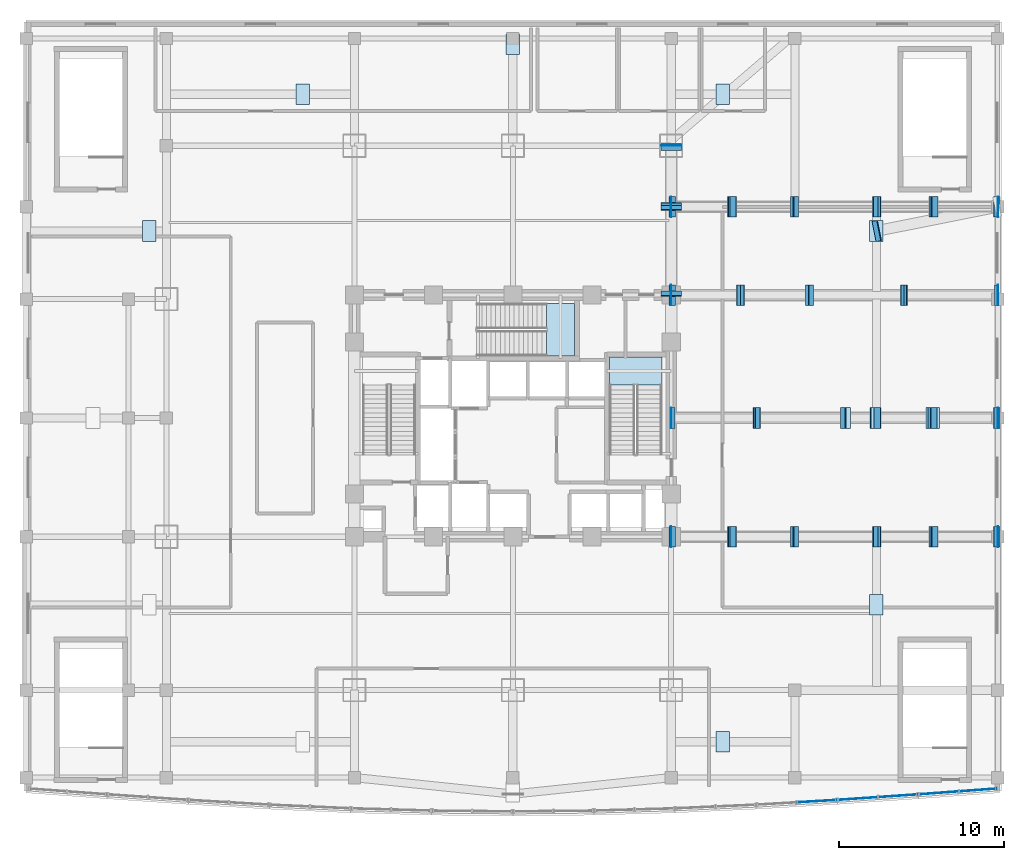
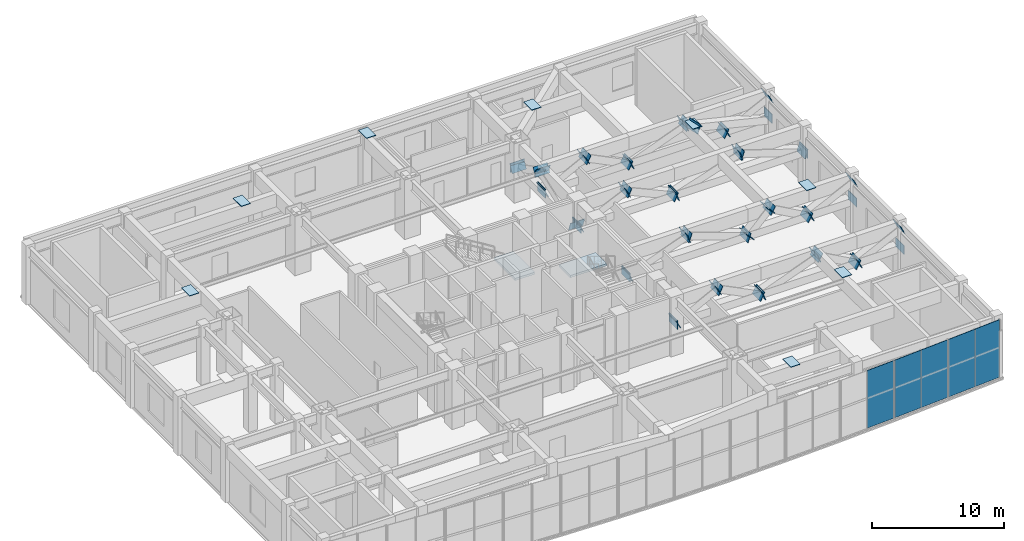
# One storey, part 11 of 19: 65 plates, 2 slabs, 5 elements without a shape of their own.
"""IFC4 building model written with IfcOpenShell, lengths in metres."""

from ifc_helpers import new_model, si_unit, direction, frame, origin, origin_2d, place, context, subcontext, project, spatial, polyline, rectangle, outline, extrude, material, layer, layer_set, type_object, element, aggregate, save


model = new_model("IFC4")

# Units and contexts
model_context = context("Model", 3, precision=1e-05, world=origin(), true_north=direction((0.0, 1.0)))
body_context = subcontext(model_context, "Body", "Model", "MODEL_VIEW")
ifc_project = project(units=[si_unit("LENGTHUNIT", "METRE"), si_unit("AREAUNIT", "SQUARE_METRE"), si_unit("VOLUMEUNIT", "CUBIC_METRE"), si_unit("PLANEANGLEUNIT", "RADIAN"), si_unit("MASSUNIT", "GRAM", prefix="KILO")], contexts=[model_context])

# Site, building, storey
site_placement = place(None, origin())
site = spatial("IfcSite", under=ifc_project, at=site_placement, CompositionType="ELEMENT")
building_placement = place(site_placement, origin())
building = spatial("IfcBuilding", under=site, at=building_placement, Name="Vantalir Tower", CompositionType="ELEMENT")
storey_placement = place(building_placement, frame((0.0, 0.0, 21.5)))
storey = spatial("IfcBuildingStorey", under=building, at=storey_placement, Name="L04", CompositionType="ELEMENT", Elevation=21.5)

# Curtain wall, plate
ifc_material_1 = material(Name="Champagne-silver PVDF aluminium and double-silver Low-E glass", Category="aluminium")
ifc_layer_1 = layer(ifc_material_1, 0.239990234375)
ifc_layer_set_1 = layer_set([ifc_layer_1], Name="Champagne-silver PVDF aluminium and double-silver Low-E glass")
curtain_wall_type = type_object("IfcCurtainWallType", Name="CW-PODIUM-WF", PredefinedType="USERDEFINED", material=ifc_layer_set_1)
curtain_wall_1_placement = place(storey_placement, origin())
curtain_wall_1 = element("IfcCurtainWall", 1, at=curtain_wall_1_placement, inside=storey, type_object=curtain_wall_type, Name="L04 Waterfront Stick Curtain Wall 10", ObjectType="STICK CURTAIN WALL", PredefinedType="USERDEFINED")
ifc_material_2 = material(Name="Laminated waterfront podium glass IGU", Category="glass")
ifc_layer_2 = layer(ifc_material_2, 0.0400390625)
ifc_layer_set_2 = layer_set([ifc_layer_2], Name="Laminated waterfront podium glass IGU")
plate_type_1 = type_object("IfcPlateType", Name="CWP-IGU-POD-40", PredefinedType="CURTAIN_PANEL", material=ifc_layer_set_2)
plate_1_placement = place(storey_placement, frame((49.9130859375, 1.76611328125, -0.008056640625), z_axis=(0.0, 0.0, 1.0), x_axis=(0.998265610185, 0.058870803651, 0.0)))
plate_1 = element("IfcPlate", 2, at=plate_1_placement, type_object=plate_type_1, Name="CW-L04-WF-10 Glazed Panel 2", PredefinedType="CURTAIN_PANEL", context=body_context, shape_type="SweptSolid", body=[
    extrude(rectangle(XDim=2.39306640625, YDim=0.0400390625, at=origin_2d()), origin(), (0.0, 0.0, 1.0), 5.3359375),
])
aggregate(curtain_wall_1, [plate_1])

# Curtain wall, plates
curtain_wall_2_placement = place(storey_placement, origin())
curtain_wall_2 = element("IfcCurtainWall", 3, at=curtain_wall_2_placement, inside=storey, type_object=curtain_wall_type, Name="L04 Waterfront Stick Curtain Wall 11", ObjectType="STICK CURTAIN WALL", PredefinedType="USERDEFINED")
plate_2_placement = place(storey_placement, frame((52.4208984375, 1.926025390625, -0.008056640625), z_axis=(0.0, 0.0, 1.0), x_axis=(0.997644939362, 0.068589904246, 0.0)))
plate_2 = element("IfcPlate", 4, at=plate_2_placement, type_object=plate_type_1, Name="CW-L04-WF-11 Glazed Panel 1", PredefinedType="CURTAIN_PANEL", context=body_context, shape_type="SweptSolid", body=[
    extrude(rectangle(XDim=2.39404296875, YDim=0.0400390625, at=origin_2d()), origin(), (0.0, 0.0, 1.0), 5.3359375),
])
plate_3_placement = place(storey_placement, frame((54.8291015625, 2.092041015625, -0.008056640625), z_axis=(0.0, 0.0, 1.0), x_axis=(0.997644939362, 0.068589904246, 0.0)))
plate_3 = element("IfcPlate", 5, at=plate_3_placement, type_object=plate_type_1, Name="CW-L04-WF-11 Glazed Panel 2", PredefinedType="CURTAIN_PANEL", context=body_context, shape_type="SweptSolid", body=[
    extrude(rectangle(XDim=2.39404296875, YDim=0.0400390625, at=origin_2d()), origin(), (0.0, 0.0, 1.0), 5.3359375),
])
aggregate(curtain_wall_2, [plate_2, plate_3])

curtain_wall_3_placement = place(storey_placement, origin())
curtain_wall_3 = element("IfcCurtainWall", 6, at=curtain_wall_3_placement, inside=storey, type_object=curtain_wall_type, Name="L04 Waterfront Stick Curtain Wall 12", ObjectType="STICK CURTAIN WALL", PredefinedType="USERDEFINED")
plate_4_placement = place(storey_placement, frame((57.3369140625, 2.27001953125, -0.008056640625), z_axis=(0.0, 0.0, 1.0), x_axis=(0.99730039812, 0.073429666411, 0.0)))
plate_4 = element("IfcPlate", 7, at=plate_4_placement, type_object=plate_type_1, Name="CW-L04-WF-12 Glazed Panel 1", PredefinedType="CURTAIN_PANEL", context=body_context, shape_type="SweptSolid", body=[
    extrude(rectangle(XDim=2.39501953125, YDim=0.0400390625, at=origin_2d()), origin(), (0.0, 0.0, 1.0), 5.3359375),
])
plate_5_placement = place(storey_placement, frame((59.680908203125, 2.443115234375, -0.008056640625), z_axis=(0.0, 0.0, 1.0), x_axis=(0.99730039812, 0.073429666411, 0.0)))
plate_5 = element("IfcPlate", 8, at=plate_5_placement, type_object=plate_type_1, Name="CW-L04-WF-12 Glazed Panel 2", PredefinedType="CURTAIN_PANEL", context=body_context, shape_type="SweptSolid", body=[
    extrude(rectangle(XDim=2.264892578125, YDim=0.0400390625, at=origin_2d()), origin(), (0.0, 0.0, 1.0), 5.3359375),
])
aggregate(curtain_wall_3, [plate_4, plate_5])

# Plates
ifc_material_3 = material(Name="Steel S460", Category="steel")
ifc_layer_3 = layer(ifc_material_3, 0.050048828125)
ifc_layer_set_3 = layer_set([ifc_layer_3], Name="Steel S460")
plate_type_2 = type_object("IfcPlateType", Name="PLT-TN-01", PredefinedType="USERDEFINED", material=ifc_layer_set_3)
for number, where, z_axis, x_axis, name in (
    (9, (41.0849609375, 17.800048828125, 2.419921875), (0.0, 0.0, 1.0), (1.0, 0.0, 0.0), "Node Cap Plate MEM-L04-XBOT-1 Start"),
    (10, (60.9150390625, 17.800048828125, 2.419921875), (0.0, 0.0, 1.0), (1.0, 0.0, 0.0), "Node Cap Plate MEM-L04-XBOT-1 End"),
):
    element("IfcPlate", number, at=place(storey_placement, frame(where, z_axis=z_axis, x_axis=x_axis)), inside=storey, type_object=plate_type_2, Name=name, ObjectType="FLANGE_PLATE", PredefinedType="USERDEFINED", context=body_context, shape_type="SweptSolid", body=[
        extrude(rectangle(XDim=0.050048828125, YDim=1.25, at=origin_2d()), origin(), (0.0, 0.0, 1.0), 0.820068359375),
    ])
plate_6_placement = place(storey_placement, frame((41.373046875, 17.175048828125, 2.46826171875), z_axis=(0.891248469522, 0.0, 0.453515342159), x_axis=(0.0, 1.0, 0.0)))
element("IfcPlate", 11, at=plate_6_placement, inside=storey, type_object=plate_type_2, Name="Node Cap Plate MEM-L04-XWEB-1-1 Start", ObjectType="FLANGE_PLATE", PredefinedType="USERDEFINED", context=body_context, shape_type="SweptSolid", body=[
    extrude(outline(polyline([(0.0, 0.0), (1.25, 0.0), (1.25, 0.8198756189915395), (0.0, 0.8198756189915395), (0.0, 0.0)])), origin(), (0.0, 0.0, -1.0), 0.050048828125),
])
plate_7_placement = place(storey_placement, frame((44.943359375, 17.175048828125, 4.283447265625), z_axis=(0.891309690912, 0.0, 0.453395009772), x_axis=(0.0, 1.0, 0.0)))
element("IfcPlate", 12, at=plate_7_placement, inside=storey, type_object=plate_type_2, Name="Node Cap Plate MEM-L04-XWEB-1-1 End", ObjectType="FLANGE_PLATE", PredefinedType="USERDEFINED", context=body_context, shape_type="SweptSolid", body=[
    extrude(outline(polyline([(0.0, 0.0), (1.25, 0.0), (1.25, 0.8200932164242248), (0.0, 0.8200932164242248), (0.0, 0.0)])), origin(), (0.0, 0.0, -1.0), 0.050048828125),
])
for number, where, z_axis, x_axis, name in (
    (13, (44.66064453125, 18.425048828125, 4.281005859375), (-0.896383397475, 0.0, 0.443279601076), (0.0, -1.0, 0.0), "Node Cap Plate MEM-L04-XWEB-1-2 Start"),
    (14, (48.3310546875, 18.425048828125, 2.466064453125), (-0.896383397475, 0.0, 0.443279601076), (0.0, -1.0, 0.0), "Node Cap Plate MEM-L04-XWEB-1-2 End"),
):
    element("IfcPlate", number, at=place(storey_placement, frame(where, z_axis=z_axis, x_axis=x_axis)), inside=storey, type_object=plate_type_2, Name=name, ObjectType="FLANGE_PLATE", PredefinedType="USERDEFINED", context=body_context, shape_type="SweptSolid", body=[
        extrude(outline(polyline([(0.0, 0.0), (1.25, 0.0), (1.25, 0.82008147846709), (0.0, 0.82008147846709), (0.0, 0.0)])), origin(), (0.0, 0.0, -1.0), 0.050048828125),
    ])
plate_8_placement = place(storey_placement, frame((48.83203125, 17.175048828125, 2.44921875), z_axis=(0.935801980164, 0.0, 0.352526103886), x_axis=(0.0, 1.0, 0.0)))
element("IfcPlate", 15, at=plate_8_placement, inside=storey, type_object=plate_type_2, Name="Node Cap Plate MEM-L04-XWEB-1-3 Start", ObjectType="FLANGE_PLATE", PredefinedType="USERDEFINED", context=body_context, shape_type="SweptSolid", body=[
    extrude(outline(polyline([(0.0, 0.0), (1.25, 0.0), (1.25, 0.8199747389298422), (0.0, 0.8199747389298422), (0.0, 0.0)])), origin(), (0.0, 0.0, -1.0), 0.050048828125),
])
plate_9_placement = place(storey_placement, frame((53.643798828125, 17.175048828125, 4.260986328125), z_axis=(0.935838966444, 0.0, 0.352427905938), x_axis=(0.0, 1.0, 0.0)))
element("IfcPlate", 16, at=plate_9_placement, inside=storey, type_object=plate_type_2, Name="Node Cap Plate MEM-L04-XWEB-1-3 End", ObjectType="FLANGE_PLATE", PredefinedType="USERDEFINED", context=body_context, shape_type="SweptSolid", body=[
    extrude(outline(polyline([(0.0, 0.0), (1.25, 0.0), (1.25, 0.8202032107257113), (0.0, 0.8202032107257113), (0.0, 0.0)])), origin(), (0.0, 0.0, -1.0), 0.050048828125),
])
plate_10_placement = place(storey_placement, frame((53.38671875, 18.425048828125, 4.290283203125), z_axis=(-0.877770373651, 0.0, 0.479081591318), x_axis=(0.0, -1.0, 0.0)))
element("IfcPlate", 17, at=plate_10_placement, inside=storey, type_object=plate_type_2, Name="Node Cap Plate MEM-L04-XWEB-1-4 Start", ObjectType="FLANGE_PLATE", PredefinedType="USERDEFINED", context=body_context, shape_type="SweptSolid", body=[
    extrude(outline(polyline([(0.0, 0.0), (1.25, 0.0), (1.25, 0.8199485698132685), (0.0, 0.8199485698132685), (0.0, 0.0)])), origin(), (0.0, 0.0, -1.0), 0.050048828125),
])
plate_11_placement = place(storey_placement, frame((56.716552734375, 18.425048828125, 2.473876953125), z_axis=(-0.877838686464, 0.0, 0.478956407773), x_axis=(0.0, -1.0, 0.0)))
element("IfcPlate", 18, at=plate_11_placement, inside=storey, type_object=plate_type_2, Name="Node Cap Plate MEM-L04-XWEB-1-4 End", ObjectType="FLANGE_PLATE", PredefinedType="USERDEFINED", context=body_context, shape_type="SweptSolid", body=[
    extrude(outline(polyline([(0.0, 0.0), (1.25, 0.0), (1.25, 0.8201628775609544), (0.0, 0.8201628775609544), (0.0, 0.0)])), origin(), (0.0, 0.0, -1.0), 0.050048828125),
])
plate_12_placement = place(storey_placement, frame((57.264892578125, 17.175048828125, 2.464111328125), z_axis=(0.901113725601, 0.0, 0.433582810468), x_axis=(0.0, 1.0, 0.0)))
element("IfcPlate", 19, at=plate_12_placement, inside=storey, type_object=plate_type_2, Name="Node Cap Plate MEM-L04-XWEB-1-5 Start", ObjectType="FLANGE_PLATE", PredefinedType="USERDEFINED", context=body_context, shape_type="SweptSolid", body=[
    extrude(outline(polyline([(0.0, 0.0), (1.25, 0.0), (1.25, 0.8198405043238027), (0.0, 0.8198405043238027), (0.0, 0.0)])), origin(), (0.0, 0.0, -1.0), 0.050048828125),
])
plate_13_placement = place(storey_placement, frame((61.03564453125, 17.175048828125, 4.27880859375), z_axis=(0.900997359275, 0.0, 0.433824571204), x_axis=(0.0, 1.0, 0.0)))
element("IfcPlate", 20, at=plate_13_placement, inside=storey, type_object=plate_type_2, Name="Node Cap Plate MEM-L04-XWEB-1-5 End", ObjectType="FLANGE_PLATE", PredefinedType="USERDEFINED", context=body_context, shape_type="SweptSolid", body=[
    extrude(outline(polyline([(0.0, 0.0), (1.25, 0.0), (1.25, 0.8199463890158538), (0.0, 0.8199463890158538), (0.0, 0.0)])), origin(), (0.0, 0.0, -1.0), 0.050048828125),
])
for number, where, z_axis, x_axis, name in (
    (21, (41.0849609375, 25.0, 2.419921875), (0.0, 0.0, 1.0), (1.0, 0.0, 0.0), "Node Cap Plate MEM-L04-XBOT-2 Start"),
    (22, (60.9150390625, 25.0, 2.419921875), (0.0, 0.0, 1.0), (1.0, 0.0, 0.0), "Node Cap Plate MEM-L04-XBOT-2 End"),
):
    element("IfcPlate", number, at=place(storey_placement, frame(where, z_axis=z_axis, x_axis=x_axis)), inside=storey, type_object=plate_type_2, Name=name, ObjectType="FLANGE_PLATE", PredefinedType="USERDEFINED", context=body_context, shape_type="SweptSolid", body=[
        extrude(rectangle(XDim=0.050048828125, YDim=1.25, at=origin_2d()), origin(), (0.0, 0.0, 1.0), 0.820068359375),
    ])
for number, where, z_axis, x_axis, name in (
    (23, (41.325439453125, 24.375, 2.446533203125), (0.94170822743, 0.0, 0.336430697754), (0.0, 1.0, 0.0), "Node Cap Plate MEM-L04-XWEB-2-1 Start"),
    (24, (46.3974609375, 24.375, 4.258056640625), (0.94170822743, 0.0, 0.336430697754), (0.0, 1.0, 0.0), "Node Cap Plate MEM-L04-XWEB-2-1 End"),
):
    element("IfcPlate", number, at=place(storey_placement, frame(where, z_axis=z_axis, x_axis=x_axis)), inside=storey, type_object=plate_type_2, Name=name, ObjectType="FLANGE_PLATE", PredefinedType="USERDEFINED", context=body_context, shape_type="SweptSolid", body=[
        extrude(outline(polyline([(0.0, 0.0), (1.25, 0.0), (1.25, 0.8200170439018821), (0.0, 0.8200170439018821), (0.0, 0.0)])), origin(), (0.0, 0.0, -1.0), 0.050048828125),
    ])
plate_14_placement = place(storey_placement, frame((46.204833984375, 25.625, 4.2568359375), z_axis=(-0.94381192996, 0.0, 0.330483041721), x_axis=(0.0, -1.0, 0.0)))
element("IfcPlate", 25, at=plate_14_placement, inside=storey, type_object=plate_type_2, Name="Node Cap Plate MEM-L04-XWEB-2-2 Start", ObjectType="FLANGE_PLATE", PredefinedType="USERDEFINED", context=body_context, shape_type="SweptSolid", body=[
    extrude(outline(polyline([(0.0, 0.0), (1.25, 0.0), (1.25, 0.819999998604379), (0.0, 0.819999998604379), (0.0, 0.0)])), origin(), (0.0, 0.0, -1.0), 0.050048828125),
])
plate_15_placement = place(storey_placement, frame((51.376953125, 25.625, 2.44580078125), z_axis=(-0.943779398194, 0.0, 0.3305759331), x_axis=(0.0, -1.0, 0.0)))
element("IfcPlate", 26, at=plate_15_placement, inside=storey, type_object=plate_type_2, Name="Node Cap Plate MEM-L04-XWEB-2-2 End", ObjectType="FLANGE_PLATE", PredefinedType="USERDEFINED", context=body_context, shape_type="SweptSolid", body=[
    extrude(outline(polyline([(0.0, 0.0), (1.25, 0.0), (1.25, 0.819769579740521), (0.0, 0.819769579740521), (0.0, 0.0)])), origin(), (0.0, 0.0, -1.0), 0.050048828125),
])
for number, where, z_axis, x_axis, name in (
    (27, (51.97705078125, 24.375, 2.54736328125), (0.703225767292, 0.0, 0.710966609777), (0.0, 1.0, 0.0), "Node Cap Plate MEM-L04-XWEB-2-3 Start"),
    (28, (53.781005859375, 24.375, 4.37158203125), (0.703225767292, 0.0, 0.710966609777), (0.0, 1.0, 0.0), "Node Cap Plate MEM-L04-XWEB-2-3 End"),
):
    element("IfcPlate", number, at=place(storey_placement, frame(where, z_axis=z_axis, x_axis=x_axis)), inside=storey, type_object=plate_type_2, Name=name, ObjectType="FLANGE_PLATE", PredefinedType="USERDEFINED", context=body_context, shape_type="SweptSolid", body=[
        extrude(outline(polyline([(0.0, 0.0), (1.25, 0.0), (1.25, 0.8200213687717592), (0.0, 0.8200213687717592), (0.0, 0.0)])), origin(), (0.0, 0.0, -1.0), 0.050048828125),
    ])
plate_16_placement = place(storey_placement, frame((53.384521484375, 25.625, 4.291748046875), z_axis=(-0.874690390738, 0.0, 0.48468208173), x_axis=(0.0, -1.0, 0.0)))
element("IfcPlate", 29, at=plate_16_placement, inside=storey, type_object=plate_type_2, Name="Node Cap Plate MEM-L04-XWEB-2-4 Start", ObjectType="FLANGE_PLATE", PredefinedType="USERDEFINED", context=body_context, shape_type="SweptSolid", body=[
    extrude(outline(polyline([(0.0, 0.0), (1.25, 0.0), (1.25, 0.8200446281849336), (0.0, 0.8200446281849336), (0.0, 0.0)])), origin(), (0.0, 0.0, -1.0), 0.050048828125),
])
plate_17_placement = place(storey_placement, frame((56.664306640625, 25.625, 2.47509765625), z_axis=(-0.874760301957, 0.0, 0.484555893701), x_axis=(0.0, -1.0, 0.0)))
element("IfcPlate", 30, at=plate_17_placement, inside=storey, type_object=plate_type_2, Name="Node Cap Plate MEM-L04-XWEB-2-4 End", ObjectType="FLANGE_PLATE", PredefinedType="USERDEFINED", context=body_context, shape_type="SweptSolid", body=[
    extrude(outline(polyline([(0.0, 0.0), (1.25, 0.0), (1.25, 0.8202581841788051), (0.0, 0.8202581841788051), (0.0, 0.0)])), origin(), (0.0, 0.0, -1.0), 0.050048828125),
])
for number, where, z_axis, x_axis, name in (
    (31, (57.213134765625, 24.375, 2.463134765625), (0.903294811393, 0.0, 0.429020376802), (0.0, 1.0, 0.0), "Node Cap Plate MEM-L04-XWEB-2-5 Start"),
    (32, (61.033935546875, 24.375, 4.277587890625), (0.903294811393, 0.0, 0.429020376802), (0.0, 1.0, 0.0), "Node Cap Plate MEM-L04-XWEB-2-5 End"),
):
    element("IfcPlate", number, at=place(storey_placement, frame(where, z_axis=z_axis, x_axis=x_axis)), inside=storey, type_object=plate_type_2, Name=name, ObjectType="FLANGE_PLATE", PredefinedType="USERDEFINED", context=body_context, shape_type="SweptSolid", body=[
        extrude(outline(polyline([(0.0, 0.0), (1.25, 0.0), (1.25, 0.8200231495939023), (0.0, 0.8200231495939023), (0.0, 0.0)])), origin(), (0.0, 0.0, -1.0), 0.050048828125),
    ])
for number, where, z_axis, x_axis, name in (
    (33, (41.0849609375, 32.449951171875, 2.419921875), (0.0, 0.0, 1.0), (1.0, 0.0, 0.0), "Node Cap Plate MEM-L04-XBOT-3 Start"),
    (34, (60.9150390625, 32.449951171875, 2.419921875), (0.0, 0.0, 1.0), (1.0, 0.0, 0.0), "Node Cap Plate MEM-L04-XBOT-3 End"),
):
    element("IfcPlate", number, at=place(storey_placement, frame(where, z_axis=z_axis, x_axis=x_axis)), inside=storey, type_object=plate_type_2, Name=name, ObjectType="FLANGE_PLATE", PredefinedType="USERDEFINED", context=body_context, shape_type="SweptSolid", body=[
        extrude(rectangle(XDim=0.050048828125, YDim=1.25, at=origin_2d()), origin(), (0.0, 0.0, 1.0), 0.820068359375),
    ])
for number, where, z_axis, x_axis, name in (
    (35, (41.354248046875, 31.824951171875, 2.458740234375), (0.91343054619, 0.0, 0.406994640366), (0.0, 1.0, 0.0), "Node Cap Plate MEM-L04-XWEB-3-1 Start"),
    (36, (45.42529296875, 31.824951171875, 4.2724609375), (0.91343054619, 0.0, 0.406994640366), (0.0, 1.0, 0.0), "Node Cap Plate MEM-L04-XWEB-3-1 End"),
    (37, (45.1748046875, 33.074951171875, 4.2724609375), (-0.91343054619, 0.0, 0.406994640366), (0.0, -1.0, 0.0), "Node Cap Plate MEM-L04-XWEB-3-2 Start"),
    (38, (49.245849609375, 33.074951171875, 2.458740234375), (-0.91343054619, 0.0, 0.406994640366), (0.0, -1.0, 0.0), "Node Cap Plate MEM-L04-XWEB-3-2 End"),
):
    element("IfcPlate", number, at=place(storey_placement, frame(where, z_axis=z_axis, x_axis=x_axis)), inside=storey, type_object=plate_type_2, Name=name, ObjectType="FLANGE_PLATE", PredefinedType="USERDEFINED", context=body_context, shape_type="SweptSolid", body=[
        extrude(outline(polyline([(0.0, 0.0), (1.25, 0.0), (1.25, 0.8200113742900135), (0.0, 0.8200113742900135), (0.0, 0.0)])), origin(), (0.0, 0.0, -1.0), 0.050048828125),
    ])
plate_18_placement = place(storey_placement, frame((49.71435546875, 31.824951171875, 2.442626953125), z_axis=(0.951038444952, 0.0, 0.309072606719), x_axis=(0.0, 1.0, 0.0)))
element("IfcPlate", 39, at=plate_18_placement, inside=storey, type_object=plate_type_2, Name="Node Cap Plate MEM-L04-XWEB-3-3 Start", ObjectType="FLANGE_PLATE", PredefinedType="USERDEFINED", context=body_context, shape_type="SweptSolid", body=[
    extrude(outline(polyline([(0.0, 0.0), (1.25, 0.0), (1.25, 0.8199302145873226), (0.0, 0.8199302145873226), (0.0, 0.0)])), origin(), (0.0, 0.0, -1.0), 0.050048828125),
])
for number, where, z_axis, x_axis, name in (
    (40, (55.28662109375, 31.824951171875, 4.2529296875), (0.95106687645, 0.0, 0.308985107279), (0.0, 1.0, 0.0), "Node Cap Plate MEM-L04-XWEB-3-3 End"),
    (41, (55.11328125, 33.074951171875, 4.2529296875), (-0.95106687645, 0.0, 0.308985107279), (0.0, -1.0, 0.0), "Node Cap Plate MEM-L04-XWEB-3-4 Start"),
):
    element("IfcPlate", number, at=place(storey_placement, frame(where, z_axis=z_axis, x_axis=x_axis)), inside=storey, type_object=plate_type_2, Name=name, ObjectType="FLANGE_PLATE", PredefinedType="USERDEFINED", context=body_context, shape_type="SweptSolid", body=[
        extrude(outline(polyline([(0.0, 0.0), (1.25, 0.0), (1.25, 0.8201624051788052), (0.0, 0.8201624051788052), (0.0, 0.0)])), origin(), (0.0, 0.0, -1.0), 0.050048828125),
    ])
plate_19_placement = place(storey_placement, frame((60.685791015625, 33.074951171875, 2.442626953125), z_axis=(-0.951125937775, 0.0, 0.308803255314), x_axis=(0.0, -1.0, 0.0)))
element("IfcPlate", 42, at=plate_19_placement, inside=storey, type_object=plate_type_2, Name="Node Cap Plate MEM-L04-XWEB-3-4 End", ObjectType="FLANGE_PLATE", PredefinedType="USERDEFINED", context=body_context, shape_type="SweptSolid", body=[
    extrude(outline(polyline([(0.0, 0.0), (1.25, 0.0), (1.25, 0.8198547902862457), (0.0, 0.8198547902862457), (0.0, 0.0)])), origin(), (0.0, 0.0, -1.0), 0.050048828125),
])
for number, where, z_axis, x_axis, name in (
    (43, (41.0849609375, 37.800048828125, 2.419921875), (0.0, 0.0, 1.0), (1.0, 0.0, 0.0), "Node Cap Plate MEM-L04-XBOT-4 Start"),
    (44, (60.9150390625, 37.800048828125, 2.419921875), (0.0, 0.0, 1.0), (1.0, 0.0, 0.0), "Node Cap Plate MEM-L04-XBOT-4 End"),
):
    element("IfcPlate", number, at=place(storey_placement, frame(where, z_axis=z_axis, x_axis=x_axis)), inside=storey, type_object=plate_type_2, Name=name, ObjectType="FLANGE_PLATE", PredefinedType="USERDEFINED", context=body_context, shape_type="SweptSolid", body=[
        extrude(rectangle(XDim=0.050048828125, YDim=1.25, at=origin_2d()), origin(), (0.0, 0.0, 1.0), 0.820068359375),
    ])
plate_20_placement = place(storey_placement, frame((41.373046875, 37.175048828125, 2.46826171875), z_axis=(0.891248469522, 0.0, 0.453515342159), x_axis=(0.0, 1.0, 0.0)))
element("IfcPlate", 45, at=plate_20_placement, inside=storey, type_object=plate_type_2, Name="Node Cap Plate MEM-L04-XWEB-4-1 Start", ObjectType="FLANGE_PLATE", PredefinedType="USERDEFINED", context=body_context, shape_type="SweptSolid", body=[
    extrude(outline(polyline([(0.0, 0.0), (1.25, 0.0), (1.25, 0.8198756189915395), (0.0, 0.8198756189915395), (0.0, 0.0)])), origin(), (0.0, 0.0, -1.0), 0.050048828125),
])
plate_21_placement = place(storey_placement, frame((44.943359375, 37.175048828125, 4.283447265625), z_axis=(0.891309690912, 0.0, 0.453395009772), x_axis=(0.0, 1.0, 0.0)))
element("IfcPlate", 46, at=plate_21_placement, inside=storey, type_object=plate_type_2, Name="Node Cap Plate MEM-L04-XWEB-4-1 End", ObjectType="FLANGE_PLATE", PredefinedType="USERDEFINED", context=body_context, shape_type="SweptSolid", body=[
    extrude(outline(polyline([(0.0, 0.0), (1.25, 0.0), (1.25, 0.8200932164242248), (0.0, 0.8200932164242248), (0.0, 0.0)])), origin(), (0.0, 0.0, -1.0), 0.050048828125),
])
for number, where, z_axis, x_axis, name in (
    (47, (44.66064453125, 38.425048828125, 4.281005859375), (-0.896383397475, 0.0, 0.443279601076), (0.0, -1.0, 0.0), "Node Cap Plate MEM-L04-XWEB-4-2 Start"),
    (48, (48.3310546875, 38.425048828125, 2.466064453125), (-0.896383397475, 0.0, 0.443279601076), (0.0, -1.0, 0.0), "Node Cap Plate MEM-L04-XWEB-4-2 End"),
):
    element("IfcPlate", number, at=place(storey_placement, frame(where, z_axis=z_axis, x_axis=x_axis)), inside=storey, type_object=plate_type_2, Name=name, ObjectType="FLANGE_PLATE", PredefinedType="USERDEFINED", context=body_context, shape_type="SweptSolid", body=[
        extrude(outline(polyline([(0.0, 0.0), (1.25, 0.0), (1.25, 0.82008147846709), (0.0, 0.82008147846709), (0.0, 0.0)])), origin(), (0.0, 0.0, -1.0), 0.050048828125),
    ])
plate_22_placement = place(storey_placement, frame((48.83203125, 37.175048828125, 2.44921875), z_axis=(0.935801980164, 0.0, 0.352526103886), x_axis=(0.0, 1.0, 0.0)))
element("IfcPlate", 49, at=plate_22_placement, inside=storey, type_object=plate_type_2, Name="Node Cap Plate MEM-L04-XWEB-4-3 Start", ObjectType="FLANGE_PLATE", PredefinedType="USERDEFINED", context=body_context, shape_type="SweptSolid", body=[
    extrude(outline(polyline([(0.0, 0.0), (1.25, 0.0), (1.25, 0.8199747389298422), (0.0, 0.8199747389298422), (0.0, 0.0)])), origin(), (0.0, 0.0, -1.0), 0.050048828125),
])
plate_23_placement = place(storey_placement, frame((53.643798828125, 37.175048828125, 4.260986328125), z_axis=(0.935838966444, 0.0, 0.352427905938), x_axis=(0.0, 1.0, 0.0)))
element("IfcPlate", 50, at=plate_23_placement, inside=storey, type_object=plate_type_2, Name="Node Cap Plate MEM-L04-XWEB-4-3 End", ObjectType="FLANGE_PLATE", PredefinedType="USERDEFINED", context=body_context, shape_type="SweptSolid", body=[
    extrude(outline(polyline([(0.0, 0.0), (1.25, 0.0), (1.25, 0.8202032107257113), (0.0, 0.8202032107257113), (0.0, 0.0)])), origin(), (0.0, 0.0, -1.0), 0.050048828125),
])
plate_24_placement = place(storey_placement, frame((53.38671875, 38.425048828125, 4.290283203125), z_axis=(-0.877770373651, 0.0, 0.479081591318), x_axis=(0.0, -1.0, 0.0)))
element("IfcPlate", 51, at=plate_24_placement, inside=storey, type_object=plate_type_2, Name="Node Cap Plate MEM-L04-XWEB-4-4 Start", ObjectType="FLANGE_PLATE", PredefinedType="USERDEFINED", context=body_context, shape_type="SweptSolid", body=[
    extrude(outline(polyline([(0.0, 0.0), (1.25, 0.0), (1.25, 0.8199485698132685), (0.0, 0.8199485698132685), (0.0, 0.0)])), origin(), (0.0, 0.0, -1.0), 0.050048828125),
])
plate_25_placement = place(storey_placement, frame((56.716552734375, 38.425048828125, 2.473876953125), z_axis=(-0.877838686464, 0.0, 0.478956407773), x_axis=(0.0, -1.0, 0.0)))
element("IfcPlate", 52, at=plate_25_placement, inside=storey, type_object=plate_type_2, Name="Node Cap Plate MEM-L04-XWEB-4-4 End", ObjectType="FLANGE_PLATE", PredefinedType="USERDEFINED", context=body_context, shape_type="SweptSolid", body=[
    extrude(outline(polyline([(0.0, 0.0), (1.25, 0.0), (1.25, 0.8201628775609544), (0.0, 0.8201628775609544), (0.0, 0.0)])), origin(), (0.0, 0.0, -1.0), 0.050048828125),
])
plate_26_placement = place(storey_placement, frame((57.264892578125, 37.175048828125, 2.464111328125), z_axis=(0.901113725601, 0.0, 0.433582810468), x_axis=(0.0, 1.0, 0.0)))
element("IfcPlate", 53, at=plate_26_placement, inside=storey, type_object=plate_type_2, Name="Node Cap Plate MEM-L04-XWEB-4-5 Start", ObjectType="FLANGE_PLATE", PredefinedType="USERDEFINED", context=body_context, shape_type="SweptSolid", body=[
    extrude(outline(polyline([(0.0, 0.0), (1.25, 0.0), (1.25, 0.8198405043238027), (0.0, 0.8198405043238027), (0.0, 0.0)])), origin(), (0.0, 0.0, -1.0), 0.050048828125),
])
plate_27_placement = place(storey_placement, frame((61.03564453125, 37.175048828125, 4.27880859375), z_axis=(0.900997359275, 0.0, 0.433824571204), x_axis=(0.0, 1.0, 0.0)))
element("IfcPlate", 54, at=plate_27_placement, inside=storey, type_object=plate_type_2, Name="Node Cap Plate MEM-L04-XWEB-4-5 End", ObjectType="FLANGE_PLATE", PredefinedType="USERDEFINED", context=body_context, shape_type="SweptSolid", body=[
    extrude(outline(polyline([(0.0, 0.0), (1.25, 0.0), (1.25, 0.8199463890158538), (0.0, 0.8199463890158538), (0.0, 0.0)])), origin(), (0.0, 0.0, -1.0), 0.050048828125),
])
plate_28_placement = place(storey_placement, frame((41.10009765625, 41.514892578125, 2.419921875), z_axis=(0.0, 0.0, 1.0), x_axis=(0.0, 1.0, 0.0)))
element("IfcPlate", 55, at=plate_28_placement, inside=storey, type_object=plate_type_2, Name="Node Cap Plate MEM-L04-X7M-BOT End", ObjectType="FLANGE_PLATE", PredefinedType="USERDEFINED", context=body_context, shape_type="SweptSolid", body=[
    extrude(rectangle(XDim=0.050048828125, YDim=1.25, at=origin_2d()), origin(), (0.0, 0.0, 1.0), 0.820068359375),
])
plate_29_placement = place(storey_placement, frame((41.72509765625, 32.6923828125, 2.4453125), z_axis=(0.0, 0.944432510893, 0.328705388407), x_axis=(-1.0, 0.0, 0.0)))
element("IfcPlate", 56, at=plate_29_placement, inside=storey, type_object=plate_type_2, Name="Node Cap Plate MEM-L04-X7M-W1 Start", ObjectType="FLANGE_PLATE", PredefinedType="USERDEFINED", context=body_context, shape_type="SweptSolid", body=[
    extrude(outline(polyline([(0.0, 0.0), (1.25, 0.0), (1.25, 0.819978191737022), (0.0, 0.819978191737022), (0.0, 0.0)])), origin(), (0.0, 0.0, -1.0), 0.050048828125),
])
plate_30_placement = place(storey_placement, frame((41.72509765625, 37.89453125, 4.256591796875), z_axis=(0.0, 0.944340052068, 0.328970919778), x_axis=(-1.0, 0.0, 0.0)))
element("IfcPlate", 57, at=plate_30_placement, inside=storey, type_object=plate_type_2, Name="Node Cap Plate MEM-L04-X7M-W1 End", ObjectType="FLANGE_PLATE", PredefinedType="USERDEFINED", context=body_context, shape_type="SweptSolid", body=[
    extrude(outline(polyline([(0.0, 0.0), (1.25, 0.0), (1.25, 0.8200584744910727), (0.0, 0.8200584744910727), (0.0, 0.0)])), origin(), (0.0, 0.0, -1.0), 0.050048828125),
])
plate_31_placement = place(storey_placement, frame((40.47509765625, 41.206298828125, 2.468505859375), z_axis=(0.0, -0.890402509446, 0.455174000984), x_axis=(1.0, 0.0, 0.0)))
element("IfcPlate", 58, at=plate_31_placement, inside=storey, type_object=plate_type_2, Name="Node Cap Plate MEM-L04-X7M-W2 Start", ObjectType="FLANGE_PLATE", PredefinedType="USERDEFINED", context=body_context, shape_type="SweptSolid", body=[
    extrude(outline(polyline([(0.0, 0.0), (1.25, 0.0), (1.25, 0.8201061897603354), (0.0, 0.8201061897603354), (0.0, 0.0)])), origin(), (0.0, 0.0, -1.0), 0.050048828125),
])
plate_32_placement = place(storey_placement, frame((40.47509765625, 37.656005859375, 4.2841796875), z_axis=(0.0, -0.890340807686, 0.455294680586), x_axis=(1.0, 0.0, 0.0)))
element("IfcPlate", 59, at=plate_32_placement, inside=storey, type_object=plate_type_2, Name="Node Cap Plate MEM-L04-X7M-W2 End", ObjectType="FLANGE_PLATE", PredefinedType="USERDEFINED", context=body_context, shape_type="SweptSolid", body=[
    extrude(outline(polyline([(0.0, 0.0), (1.25, 0.0), (1.25, 0.8198888138661324), (0.0, 0.8198888138661324), (0.0, 0.0)])), origin(), (0.0, 0.0, -1.0), 0.050048828125),
])
plate_33_placement = place(storey_placement, frame((53.277587890625, 36.9169921875, 4.8857421875), z_axis=(-0.920800951983, -0.183665037525, 0.344082491298), x_axis=(0.195597918439, -0.980684176147, -3.094173e-05)))
element("IfcPlate", 60, at=plate_33_placement, inside=storey, type_object=plate_type_2, Name="Node Cap Plate MEM-L04-XSTRUT-02 End", ObjectType="FLANGE_PLATE", PredefinedType="USERDEFINED", context=body_context, shape_type="SweptSolid", body=[
    extrude(outline(polyline([(0.0, 0.0), (1.2499533117165684, 0.0), (1.2499718237971948, 0.8201361978005786), (-2.9241317429792395e-05, 0.8200538145150759), (0.0, 0.0)])), origin(), (0.0, 0.0, -1.0), 0.050048828125),
])
for number, where, z_axis, x_axis, name in (
    (61, (56.5400390625, 25.625, 5.508056640625), (0.0, 0.0, 1.0), (0.0, -1.0, 0.0), "L05 Ring Column Base Cap RC01"),
    (62, (53.1298828125, 36.95703125, 5.508056640625), (0.0, 0.0, 1.0), (0.0, -1.0, 0.0), "L05 Ring Column Base Cap RC02"),
    (63, (43.81494140625, 45.2529296875, 5.508056640625), (0.0, 0.0, 1.0), (0.0, -1.0, 0.0), "L05 Ring Column Base Cap RC03"),
):
    element("IfcPlate", number, at=place(storey_placement, frame(where, z_axis=z_axis, x_axis=x_axis)), inside=storey, type_object=plate_type_2, Name=name, ObjectType="FLANGE_PLATE", PredefinedType="USERDEFINED", context=body_context, shape_type="SweptSolid", body=[
        extrude(outline(polyline([(0.0, 0.0), (1.25, 0.0), (1.25, 0.820068359375), (0.0, 0.820068359375), (0.0, 0.0)])), origin(), (0.0, 0.0, -1.0), 0.050048828125),
    ])
plate_34_placement = place(storey_placement, frame((31.090087890625, 48.2890625, 5.508056640625), z_axis=(0.0, 0.0, 1.0), x_axis=(0.0, -1.0, 0.0)))
element("IfcPlate", 64, at=plate_34_placement, inside=storey, type_object=plate_type_2, Name="L05 Ring Column Base Cap RC04", ObjectType="FLANGE_PLATE", PredefinedType="USERDEFINED", context=body_context, shape_type="SweptSolid", body=[
    extrude(outline(polyline([(0.0, 0.0), (1.25, 0.0), (1.25, 0.81982421875), (0.0, 0.81982421875), (0.0, 0.0)])), origin(), (0.0, 0.0, -1.0), 0.050048828125),
])
for number, where, z_axis, x_axis, name in (
    (65, (18.364990234375, 45.2529296875, 5.508056640625), (0.0, 0.0, 1.0), (0.0, -1.0, 0.0), "L05 Ring Column Base Cap RC05"),
    (66, (9.050048828125, 36.95703125, 5.508056640625), (0.0, 0.0, 1.0), (0.0, -1.0, 0.0), "L05 Ring Column Base Cap RC06"),
    (67, (43.81494140625, 5.9970703125, 5.508056640625), (0.0, 0.0, 1.0), (0.0, -1.0, 0.0), "L05 Ring Column Base Cap RC11"),
    (68, (53.1298828125, 14.29296875, 5.508056640625), (0.0, 0.0, 1.0), (0.0, -1.0, 0.0), "L05 Ring Column Base Cap RC12"),
):
    element("IfcPlate", number, at=place(storey_placement, frame(where, z_axis=z_axis, x_axis=x_axis)), inside=storey, type_object=plate_type_2, Name=name, ObjectType="FLANGE_PLATE", PredefinedType="USERDEFINED", context=body_context, shape_type="SweptSolid", body=[
        extrude(outline(polyline([(0.0, 0.0), (1.25, 0.0), (1.25, 0.820068359375), (0.0, 0.820068359375), (0.0, 0.0)])), origin(), (0.0, 0.0, -1.0), 0.050048828125),
    ])

# Stair, slab
ifc_material_4 = material(Name="Concrete C40/50", Category="concrete")
stair_type = type_object("IfcStairType", Name="STR-CORE-1450", PredefinedType="HALF_TURN_STAIR", material=ifc_material_4)
stair_1_placement = place(storey_placement, origin())
stair_1 = element("IfcStair", 69, at=stair_1_placement, inside=storey, type_object=stair_type, Name="L04 Core Exit Stair 2", PredefinedType="HALF_TURN_STAIR")
ifc_layer_4 = layer(ifc_material_4, 0.199951171875)
ifc_layer_set_4 = layer_set([ifc_layer_4], Name="Concrete C40/50")
slab_type = type_object("IfcSlabType", Name="SL-LAND-200", PredefinedType="LANDING", material=ifc_layer_set_4)
slab_1_placement = place(storey_placement, frame((0.0, 0.0, 2.550048828125)))
slab_1 = element("IfcSlab", 70, at=slab_1_placement, type_object=slab_type, Name="ST2 landing 1", PredefinedType="LANDING", context=body_context, shape_type="SweptSolid", body=[
    extrude(outline(polyline([(40.550048828125, 26.989990234375), (40.550048828125, 28.699951171875), (37.35009765625, 28.699951171875), (37.35009765625, 26.989990234375), (40.550048828125, 26.989990234375)])), origin(), (0.0, 0.0, 1.0), 0.199951171875),
])
aggregate(stair_1, [slab_1])

stair_2_placement = place(storey_placement, origin())
stair_2 = element("IfcStair", 71, at=stair_2_placement, inside=storey, type_object=stair_type, Name="L04 Core Exit Stair 3", PredefinedType="HALF_TURN_STAIR")
slab_2_placement = place(storey_placement, frame((0.0, 0.0, 2.550048828125)))
slab_2 = element("IfcSlab", 72, at=slab_2_placement, type_object=slab_type, Name="ST3 landing 1", PredefinedType="LANDING", context=body_context, shape_type="SweptSolid", body=[
    extrude(outline(polyline([(33.5400390625, 28.75), (35.25, 28.75), (35.25, 31.949951171875), (33.5400390625, 31.949951171875), (33.5400390625, 28.75)])), origin(), (0.0, 0.0, 1.0), 0.199951171875),
])
aggregate(stair_2, [slab_2])

save(model, "model.ifc")
